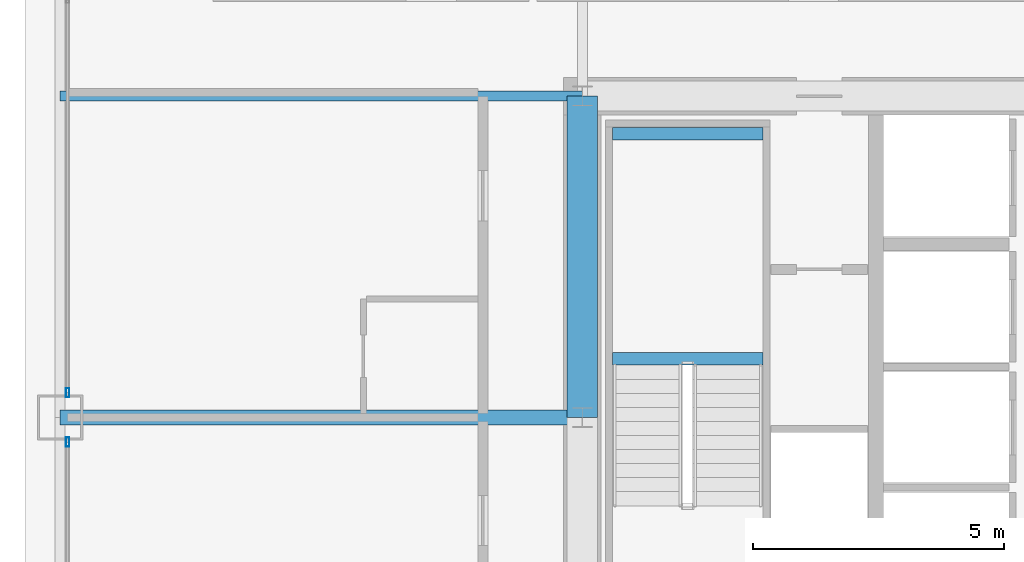
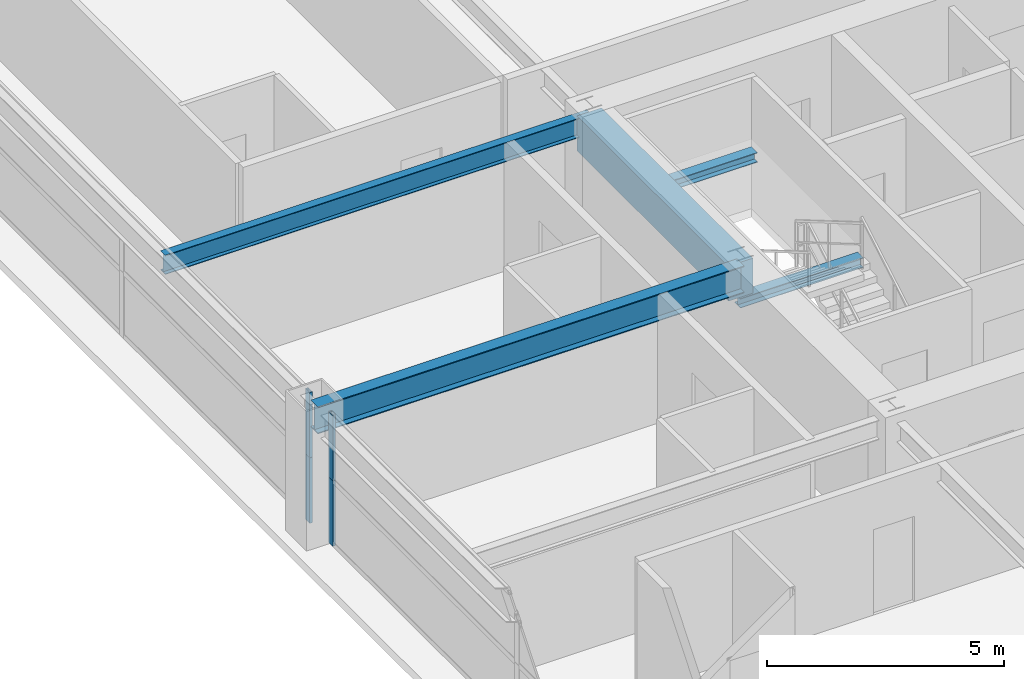
# One storey, part 13 of 43: 5 beams, 4 members, 2 elements without a shape of their own.
"""IFC4 building model written with IfcOpenShell, lengths in metres."""

from ifc_helpers import new_model, si_unit, direction, frame, origin, origin_2d, place, context, subcontext, project, spatial, rectangle, hollow_rectangle, i_section, extrude, source, transform, mapped, material, layer, layer_set, material_profile, profile_set, type_object, element, aggregate, save


model = new_model("IFC4")

# Units and contexts
model_context = context("Model", 3, precision=1e-05, world=origin(), true_north=direction((0.0, 1.0)))
body_context = subcontext(model_context, "Body", "Model", "MODEL_VIEW")
ifc_project = project(units=[si_unit("LENGTHUNIT", "METRE"), si_unit("AREAUNIT", "SQUARE_METRE"), si_unit("VOLUMEUNIT", "CUBIC_METRE"), si_unit("PLANEANGLEUNIT", "RADIAN"), si_unit("MASSUNIT", "GRAM", prefix="KILO"), si_unit("THERMODYNAMICTEMPERATUREUNIT", "KELVIN"), si_unit("POWERUNIT", "WATT")], contexts=[model_context])

# Site, building, storey
site_placement = place(None, origin())
site = spatial("IfcSite", under=ifc_project, at=site_placement, CompositionType="ELEMENT")
building_placement = place(site_placement, origin())
building = spatial("IfcBuilding", under=site, at=building_placement, Name="Yuzanri Waterfront Tower", CompositionType="ELEMENT")
storey_placement = place(building_placement, frame((0.0, 0.0, 138.0)))
storey = spatial("IfcBuildingStorey", under=building, at=storey_placement, Name="L36", CompositionType="ELEMENT", Elevation=138.0)

# Beams
ifc_material_1 = material(Name="Concrete C60", Category="concrete")
ifc_material_profile_1 = material_profile(ifc_material_1, rectangle(XDim=0.60009765625, YDim=0.89990234375, at=origin_2d()), Name="RC 600x900")
ifc_profile_set_1 = profile_set([ifc_material_profile_1], Name="Concrete C60")
beam_type_1 = type_object("IfcBeamType", Name="Core Coupling Lintel Concrete C60 600x900", PredefinedType="LINTEL", material=ifc_profile_set_1)
shared_shape_1 = source(origin(), body_context, "Body", "SweptSolid", [
    extrude(rectangle(XDim=0.60009765625, YDim=0.89990234375, at=origin_2d()), origin(), (0.0, 0.0, 1.0), 6.39990234375),
])
beam_1_placement = place(storey_placement, frame((23.800048828125, 25.800048828125, 2.929931640625), z_axis=(0.0, 1.0, 0.0), x_axis=(-1.0, 0.0, 0.0)))
element("IfcBeam", 1, at=beam_1_placement, inside=storey, type_object=beam_type_1, Name="L36 Core Tie Beam CW2", PredefinedType="LINTEL", context=body_context, shape_type="MappedRepresentation", body=[
    mapped(shared_shape_1, transform((0.0, 0.0, 0.0), scale=1.0)),
])
ifc_material_2 = material(Name="Steel Q355B", Category="steel")
ifc_material_profile_2 = material_profile(ifc_material_2, i_section(OverallWidth=0.300048828125, OverallDepth=0.699951171875, WebThickness=0.012939453125, FlangeThickness=0.02392578125, at=origin_2d()), Name="HN 700x300x13x24")
ifc_profile_set_2 = profile_set([ifc_material_profile_2], Name="Steel Q355B")
beam_type_2 = type_object("IfcBeamType", Name="Primary Floor Girder Q355B HN 700x300", PredefinedType="BEAM", material=ifc_profile_set_2)
shared_shape_2 = source(origin(), body_context, "Body", "SweptSolid", [
    extrude(i_section(OverallWidth=0.300048828125, OverallDepth=0.699951171875, WebThickness=0.012939453125, FlangeThickness=0.02392578125, at=origin_2d()), origin(), (0.0, 0.0, 1.0), 10.400146484375),
])
beam_2_placement = place(storey_placement, frame((23.800048828125, 25.800048828125, 3.030029296875), z_axis=(-1.0, 0.0, 0.0), x_axis=(0.0, -1.0, 0.0)))
element("IfcBeam", 2, at=beam_2_placement, inside=storey, type_object=beam_type_2, Name="L36 West Grid Girder", PredefinedType="BEAM", context=body_context, shape_type="MappedRepresentation", body=[
    mapped(shared_shape_2, transform((0.0, 0.0, 0.0), scale=1.0)),
])
ifc_material_3 = material(Name="Steel Q355B", Category="steel")
ifc_material_profile_3 = material_profile(ifc_material_3, i_section(OverallWidth=0.199951171875, OverallDepth=0.5, WebThickness=0.010009765625, FlangeThickness=0.01611328125, at=origin_2d()), Name="HN 500x200x10x16")
ifc_profile_set_3 = profile_set([ifc_material_profile_3], Name="Steel Q355B")
beam_type_3 = type_object("IfcBeamType", Name="Secondary Floor Beam Q355B HN 500x200", PredefinedType="BEAM", material=ifc_profile_set_3)
shared_shape_3 = source(origin(), body_context, "Body", "SweptSolid", [
    extrude(i_section(OverallWidth=0.199951171875, OverallDepth=0.5, WebThickness=0.010009765625, FlangeThickness=0.01611328125, at=origin_2d()), origin(), (0.0, 0.0, 1.0), 10.400146484375),
])
beam_3_placement = place(storey_placement, frame((23.800048828125, 32.199951171875, 3.1298828125), z_axis=(-1.0, 0.0, 0.0), x_axis=(0.0, -1.0, 0.0)))
element("IfcBeam", 3, at=beam_3_placement, inside=storey, type_object=beam_type_3, Name="L36 West-North Core Line Beam", PredefinedType="BEAM", context=body_context, shape_type="MappedRepresentation", body=[
    mapped(shared_shape_3, transform((0.0, 0.0, 0.0), scale=1.0)),
])

# Curtain wall, members
ifc_material_4 = material(Name="Anodized Architectural Bronze", Category="metal")
ifc_layer = layer(ifc_material_4, 0.159912109375)
ifc_layer_set = layer_set([ifc_layer], Name="Anodized Architectural Bronze")
curtain_wall_type = type_object("IfcCurtainWallType", Name="Anodized Bronze Hotel Upper-Tier Solar-Control Unitized Curtain Wall 7800", PredefinedType="NOTDEFINED", material=ifc_layer_set)
curtain_wall_1_placement = place(storey_placement, origin())
curtain_wall_1 = element("IfcCurtainWall", 4, at=curtain_wall_1_placement, inside=storey, type_object=curtain_wall_type, Name="L36 Curtain Wall CW-L36-WL", PredefinedType="NOTDEFINED")
ifc_material_5 = material(Name="Anodized Architectural Bronze", Category="metal")
ifc_material_profile_4 = material_profile(ifc_material_5, hollow_rectangle(XDim=0.070068359375, YDim=0.179931640625, WallThickness=0.00390625, at=origin_2d()), Name="CWM 70x180")
ifc_profile_set_4 = profile_set([ifc_material_profile_4], Name="Anodized Architectural Bronze")
member_type = type_object("IfcMemberType", Name="Anodized Bronze Standard Curtain-Wall Mullion 70x180", PredefinedType="MULLION", material=ifc_profile_set_4)
shared_shape_4 = source(origin(), body_context, "Body", "SweptSolid", [
    extrude(hollow_rectangle(XDim=0.070068359375, YDim=0.179931640625, WallThickness=0.00390625, at=origin_2d()), origin(), (0.0, 0.0, 1.0), 1.68798828125),
])
member_1_placement = place(storey_placement, frame((13.550048828125, 25.31005859375, 0.0), z_axis=(0.0, 0.0, 1.0), x_axis=(1.0, 0.0, 0.0)))
member_1 = element("IfcMember", 5, at=member_1_placement, type_object=member_type, Name="CW-L36-WL Lower Mullion 02", PredefinedType="MULLION", context=body_context, shape_type="MappedRepresentation", body=[
    mapped(shared_shape_4, transform((0.0, 0.0, 0.0), scale=1.0)),
])
member_2_placement = place(storey_placement, frame((13.550048828125, 25.31005859375, 1.69189453125), z_axis=(0.0, 0.0, 1.0), x_axis=(1.0, 0.0, 0.0)))
member_2 = element("IfcMember", 6, at=member_2_placement, type_object=member_type, Name="CW-L36-WL Upper Mullion 02", PredefinedType="MULLION", context=body_context, shape_type="MappedRepresentation", body=[
    mapped(shared_shape_4, transform((0.0, 0.0, 0.0), scale=1.0)),
])
aggregate(curtain_wall_1, [member_1, member_2])

curtain_wall_2_placement = place(storey_placement, origin())
curtain_wall_2 = element("IfcCurtainWall", 7, at=curtain_wall_2_placement, inside=storey, type_object=curtain_wall_type, Name="L36 Curtain Wall CW-L36-WR", PredefinedType="NOTDEFINED")
member_3_placement = place(storey_placement, frame((13.550048828125, 26.2900390625, 0.0), z_axis=(0.0, 0.0, 1.0), x_axis=(1.0, 0.0, 0.0)))
member_3 = element("IfcMember", 8, at=member_3_placement, type_object=member_type, Name="CW-L36-WR Lower Mullion 00", PredefinedType="MULLION", context=body_context, shape_type="MappedRepresentation", body=[
    mapped(shared_shape_4, transform((0.0, 0.0, 0.0), scale=1.0)),
])
member_4_placement = place(storey_placement, frame((13.550048828125, 26.2900390625, 1.69189453125), z_axis=(0.0, 0.0, 1.0), x_axis=(1.0, 0.0, 0.0)))
member_4 = element("IfcMember", 9, at=member_4_placement, type_object=member_type, Name="CW-L36-WR Upper Mullion 00", PredefinedType="MULLION", context=body_context, shape_type="MappedRepresentation", body=[
    mapped(shared_shape_4, transform((0.0, 0.0, 0.0), scale=1.0)),
])
aggregate(curtain_wall_2, [member_3, member_4])

# Beams
ifc_material_6 = material(Name="Steel Q355B", Category="steel")
ifc_material_profile_5 = material_profile(ifc_material_6, i_section(OverallWidth=0.25, OverallDepth=0.25, WebThickness=0.009033203125, FlangeThickness=0.013916015625, at=origin_2d()), Name="HW 250x250x9x14")
ifc_profile_set_5 = profile_set([ifc_material_profile_5], Name="Steel Q355B")
beam_type_4 = type_object("IfcBeamType", Name="Stair Landing Support Beam Q355B HW 250x250", PredefinedType="BEAM", material=ifc_profile_set_5)
shared_shape_5 = source(origin(), body_context, "Body", "SweptSolid", [
    extrude(i_section(OverallWidth=0.25, OverallDepth=0.25, WebThickness=0.009033203125, FlangeThickness=0.013916015625, at=origin_2d()), origin(), (0.0, 0.0, 1.0), 3.0),
])
for number, where, z_axis, x_axis, name in (
    (10, (24.39990234375, 26.969970703125, 1.47509765625), (1.0, 0.0, 0.0), (0.0, 1.0, 0.0), "L36 Stair Landing Support Beam ST-01-L36-L1-1"),
    (11, (24.39990234375, 31.449951171875, 1.47509765625), (1.0, 0.0, 0.0), (0.0, 1.0, 0.0), "L36 Stair Landing Support Beam ST-01-L36-L1-2"),
):
    element("IfcBeam", number, at=place(storey_placement, frame(where, z_axis=z_axis, x_axis=x_axis)), inside=storey, type_object=beam_type_4, Name=name, PredefinedType="BEAM", context=body_context, shape_type="MappedRepresentation", body=[
        mapped(shared_shape_5, transform((0.0, 0.0, 0.0), scale=1.0)),
    ])

save(model, "model.ifc")
